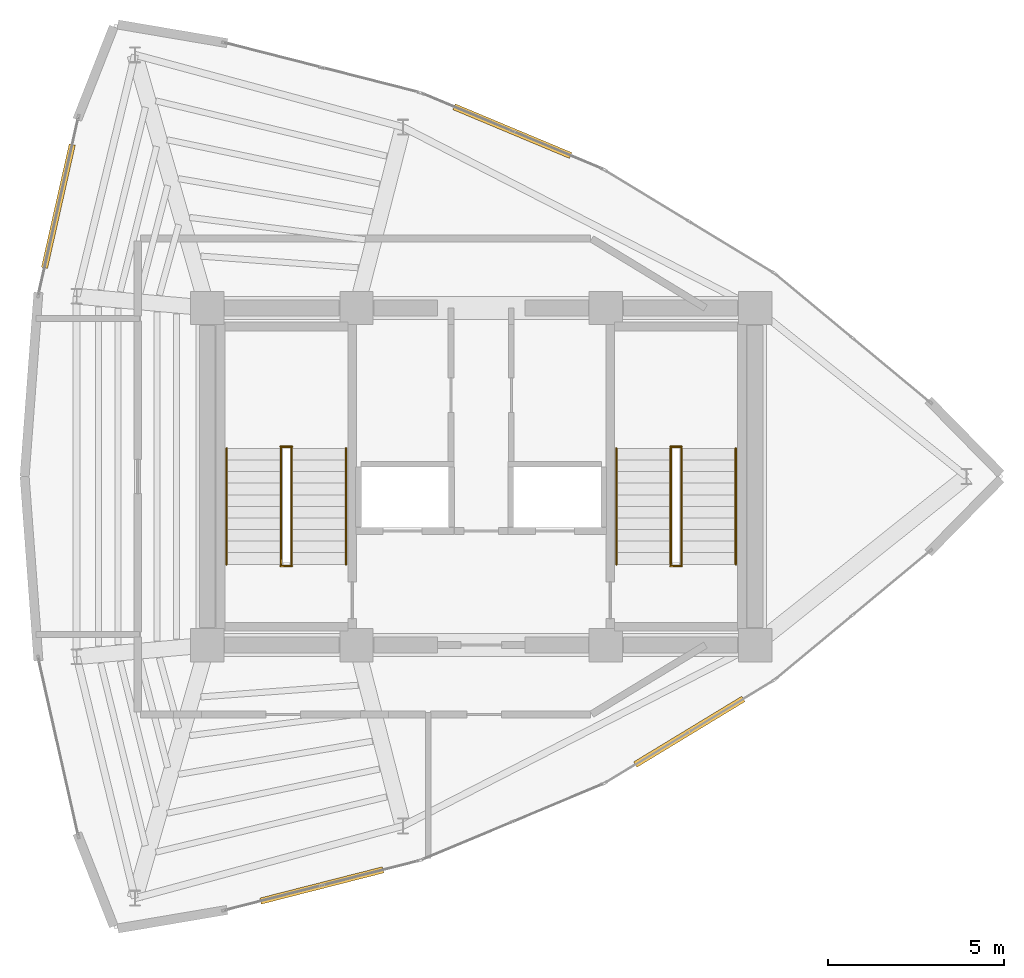
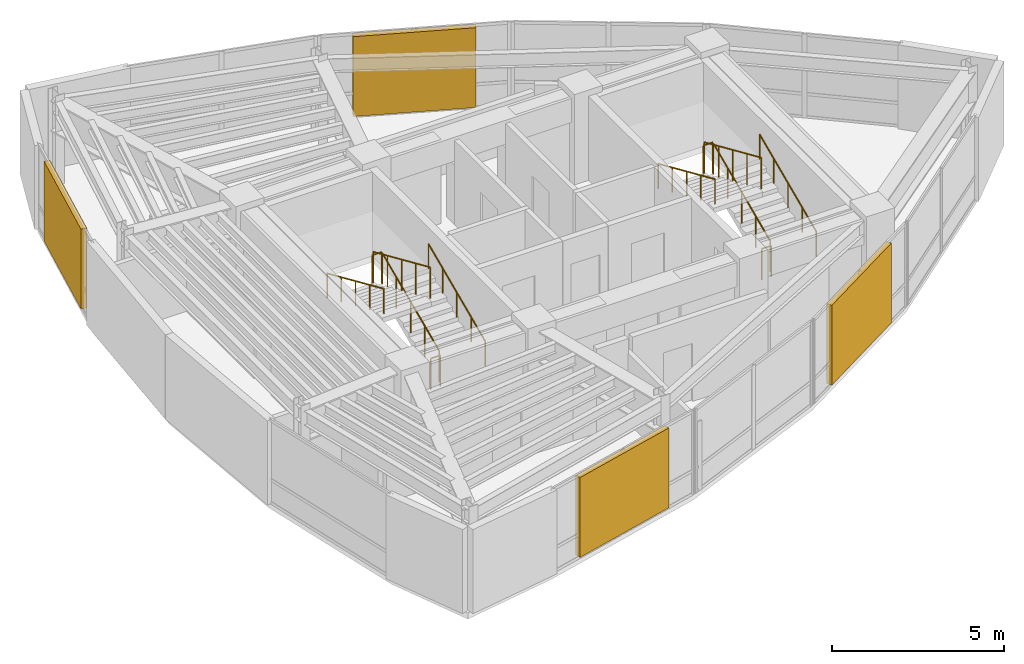
# One storey, part 14 of 14: 12 railings, 4 shading devices.
"""IFC4 building model written with IfcOpenShell, lengths in metres."""

from ifc_helpers import new_model, si_unit, direction, frame, origin, origin_2d, place, context, subcontext, project, spatial, rectangle, circle, extrude, material, layer, layer_set, type_object, element, save


model = new_model("IFC4")

# Units and contexts
model_context = context("Model", 3, precision=1e-05, world=origin(), true_north=direction((0.0, 1.0)))
body_context = subcontext(model_context, "Body", "Model", "MODEL_VIEW")
ifc_project = project(units=[si_unit("LENGTHUNIT", "METRE"), si_unit("AREAUNIT", "SQUARE_METRE"), si_unit("VOLUMEUNIT", "CUBIC_METRE"), si_unit("PLANEANGLEUNIT", "RADIAN"), si_unit("MASSUNIT", "GRAM", prefix="KILO")], contexts=[model_context])

# Site, building, storey
site_placement = place(None, origin())
site = spatial("IfcSite", under=ifc_project, at=site_placement, CompositionType="ELEMENT")
building_placement = place(site_placement, origin())
building = spatial("IfcBuilding", under=site, at=building_placement, Name="Menara Vayukalpa", CompositionType="ELEMENT")
storey_placement = place(building_placement, frame((0.0, 0.0, 308.820068359375)))
storey = spatial("IfcBuildingStorey", under=building, at=storey_placement, Name="L79", CompositionType="ELEMENT", Elevation=308.820068359375)

# Railings
ifc_material_1 = material(Name="Powder-Coated Galvanised Steel Guardrail", Category="steel")
railing_type_1 = type_object("IfcRailingType", Name="RLG-STG110", PredefinedType="GUARDRAIL", material=ifc_material_1)
railing_1_placement = place(storey_placement, frame((20.199951171875, 19.5, 0.1455078125)))
element("IfcRailing", 1, at=railing_1_placement, inside=storey, type_object=railing_type_1, Name="L79 ST-1 stair guard 1", PredefinedType="GUARDRAIL", context=body_context, shape_type="SweptSolid", body=[
    extrude(circle(Radius=0.02392578125, at=origin_2d()), frame((0.0, 0.0, 1.09619140625), z_axis=(0.0, 0.915077294035, 0.40327849675), x_axis=(-1.0, 0.0, 0.0)), (0.0, 0.0, 1.0), 3.606201171875),
    extrude(circle(Radius=0.02099609375, at=origin_2d()), origin(), (0.0, 0.0, 1.0), 1.072021484375),
    extrude(circle(Radius=0.02099609375, at=origin_2d()), frame((0.0, 0.824951171875, 0.363525390625)), (0.0, 0.0, 1.0), 1.072021484375),
    extrude(circle(Radius=0.02099609375, at=origin_2d()), frame((0.0, 1.64990234375, 0.72705078125)), (0.0, 0.0, 1.0), 1.072021484375),
    extrude(circle(Radius=0.02099609375, at=origin_2d()), frame((0.0, 2.47509765625, 1.0908203125)), (0.0, 0.0, 1.0), 1.072021484375),
    extrude(circle(Radius=0.02099609375, at=origin_2d()), frame((0.0, 3.300048828125, 1.454345703125)), (0.0, 0.0, 1.0), 1.072021484375),
])
railing_2_placement = place(storey_placement, frame((20.2099609375, 22.85009765625, 1.599853515625)))
element("IfcRailing", 2, at=railing_2_placement, inside=storey, type_object=railing_type_1, Name="L79 ST-1 stair guard 2", PredefinedType="GUARDRAIL", context=body_context, shape_type="SweptSolid", body=[
    extrude(circle(Radius=0.02392578125, at=origin_2d()), frame((0.0, 0.0, 1.09619140625), z_axis=(-1.0, 0.0, 0.0), x_axis=(0.0, -1.0, 0.0)), (0.0, 0.0, 1.0), 0.320068359375),
    extrude(circle(Radius=0.02099609375, at=origin_2d()), origin(), (0.0, 0.0, 1.0), 1.072021484375),
    extrude(circle(Radius=0.02099609375, at=origin_2d()), frame((-0.320068359375, 0.0, 0.0)), (0.0, 0.0, 1.0), 1.072021484375),
])
railing_3_placement = place(storey_placement, frame((19.89990234375, 22.800048828125, 1.745361328125)))
element("IfcRailing", 3, at=railing_3_placement, inside=storey, type_object=railing_type_1, Name="L79 ST-1 stair guard 3", PredefinedType="GUARDRAIL", context=body_context, shape_type="SweptSolid", body=[
    extrude(circle(Radius=0.02392578125, at=origin_2d()), frame((0.0, 0.0, 1.09619140625), z_axis=(0.0, -0.915052310208, 0.403335182675), x_axis=(1.0, 0.0, 0.0)), (0.0, 0.0, 1.0), 3.6064453125),
    extrude(circle(Radius=0.02099609375, at=origin_2d()), origin(), (0.0, 0.0, 1.0), 1.072021484375),
    extrude(circle(Radius=0.02099609375, at=origin_2d()), frame((0.0, -0.824951171875, 0.36376953125)), (0.0, 0.0, 1.0), 1.072021484375),
    extrude(circle(Radius=0.02099609375, at=origin_2d()), frame((0.0, -1.64990234375, 0.727294921875)), (0.0, 0.0, 1.0), 1.072021484375),
    extrude(circle(Radius=0.02099609375, at=origin_2d()), frame((0.0, -2.47509765625, 1.0908203125)), (0.0, 0.0, 1.0), 1.072021484375),
    extrude(circle(Radius=0.02099609375, at=origin_2d()), frame((0.0, -3.300048828125, 1.45458984375)), (0.0, 0.0, 1.0), 1.072021484375),
])
railing_4_placement = place(storey_placement, frame((20.2099609375, 19.449951171875, 0.0)))
element("IfcRailing", 4, at=railing_4_placement, inside=storey, type_object=railing_type_1, Name="L79 ST-1 stair guard 4", PredefinedType="GUARDRAIL", context=body_context, shape_type="SweptSolid", body=[
    extrude(circle(Radius=0.02392578125, at=origin_2d()), frame((0.0, 0.0, 1.09619140625), z_axis=(-1.0, 0.0, 0.0), x_axis=(0.0, -1.0, 0.0)), (0.0, 0.0, 1.0), 0.320068359375),
    extrude(circle(Radius=0.02099609375, at=origin_2d()), origin(), (0.0, 0.0, 1.0), 1.072021484375),
    extrude(circle(Radius=0.02099609375, at=origin_2d()), frame((-0.320068359375, 0.0, 0.0)), (0.0, 0.0, 1.0), 1.072021484375),
])
railing_5_placement = place(storey_placement, frame((31.300048828125, 19.5, 0.1455078125)))
element("IfcRailing", 5, at=railing_5_placement, inside=storey, type_object=railing_type_1, Name="L79 ST-2 stair guard 1", PredefinedType="GUARDRAIL", context=body_context, shape_type="SweptSolid", body=[
    extrude(circle(Radius=0.02392578125, at=origin_2d()), frame((0.0, 0.0, 1.09619140625), z_axis=(0.0, 0.915077294035, 0.40327849675), x_axis=(-1.0, 0.0, 0.0)), (0.0, 0.0, 1.0), 3.606201171875),
    extrude(circle(Radius=0.02099609375, at=origin_2d()), origin(), (0.0, 0.0, 1.0), 1.072021484375),
    extrude(circle(Radius=0.02099609375, at=origin_2d()), frame((0.0, 0.824951171875, 0.363525390625)), (0.0, 0.0, 1.0), 1.072021484375),
    extrude(circle(Radius=0.02099609375, at=origin_2d()), frame((0.0, 1.64990234375, 0.72705078125)), (0.0, 0.0, 1.0), 1.072021484375),
    extrude(circle(Radius=0.02099609375, at=origin_2d()), frame((0.0, 2.47509765625, 1.0908203125)), (0.0, 0.0, 1.0), 1.072021484375),
    extrude(circle(Radius=0.02099609375, at=origin_2d()), frame((0.0, 3.300048828125, 1.454345703125)), (0.0, 0.0, 1.0), 1.072021484375),
])
railing_6_placement = place(storey_placement, frame((31.31005859375, 22.85009765625, 1.599853515625)))
element("IfcRailing", 6, at=railing_6_placement, inside=storey, type_object=railing_type_1, Name="L79 ST-2 stair guard 2", PredefinedType="GUARDRAIL", context=body_context, shape_type="SweptSolid", body=[
    extrude(circle(Radius=0.02392578125, at=origin_2d()), frame((0.0, 0.0, 1.09619140625), z_axis=(-1.0, 0.0, 0.0), x_axis=(0.0, -1.0, 0.0)), (0.0, 0.0, 1.0), 0.320068359375),
    extrude(circle(Radius=0.02099609375, at=origin_2d()), origin(), (0.0, 0.0, 1.0), 1.072021484375),
    extrude(circle(Radius=0.02099609375, at=origin_2d()), frame((-0.320068359375, 0.0, 0.0)), (0.0, 0.0, 1.0), 1.072021484375),
])
railing_7_placement = place(storey_placement, frame((31.0, 22.800048828125, 1.745361328125)))
element("IfcRailing", 7, at=railing_7_placement, inside=storey, type_object=railing_type_1, Name="L79 ST-2 stair guard 3", PredefinedType="GUARDRAIL", context=body_context, shape_type="SweptSolid", body=[
    extrude(circle(Radius=0.02392578125, at=origin_2d()), frame((0.0, 0.0, 1.09619140625), z_axis=(0.0, -0.915052310208, 0.403335182675), x_axis=(1.0, 0.0, 0.0)), (0.0, 0.0, 1.0), 3.6064453125),
    extrude(circle(Radius=0.02099609375, at=origin_2d()), origin(), (0.0, 0.0, 1.0), 1.072021484375),
    extrude(circle(Radius=0.02099609375, at=origin_2d()), frame((0.0, -0.824951171875, 0.36376953125)), (0.0, 0.0, 1.0), 1.072021484375),
    extrude(circle(Radius=0.02099609375, at=origin_2d()), frame((0.0, -1.64990234375, 0.727294921875)), (0.0, 0.0, 1.0), 1.072021484375),
    extrude(circle(Radius=0.02099609375, at=origin_2d()), frame((0.0, -2.47509765625, 1.0908203125)), (0.0, 0.0, 1.0), 1.072021484375),
    extrude(circle(Radius=0.02099609375, at=origin_2d()), frame((0.0, -3.300048828125, 1.45458984375)), (0.0, 0.0, 1.0), 1.072021484375),
])
railing_8_placement = place(storey_placement, frame((31.31005859375, 19.449951171875, 0.0)))
element("IfcRailing", 8, at=railing_8_placement, inside=storey, type_object=railing_type_1, Name="L79 ST-2 stair guard 4", PredefinedType="GUARDRAIL", context=body_context, shape_type="SweptSolid", body=[
    extrude(circle(Radius=0.02392578125, at=origin_2d()), frame((0.0, 0.0, 1.09619140625), z_axis=(-1.0, 0.0, 0.0), x_axis=(0.0, -1.0, 0.0)), (0.0, 0.0, 1.0), 0.320068359375),
    extrude(circle(Radius=0.02099609375, at=origin_2d()), origin(), (0.0, 0.0, 1.0), 1.072021484375),
    extrude(circle(Radius=0.02099609375, at=origin_2d()), frame((-0.320068359375, 0.0, 0.0)), (0.0, 0.0, 1.0), 1.072021484375),
])
ifc_material_2 = material(Name="Stainless Steel 316 Tubular Handrail", Category="steel")
railing_type_2 = type_object("IfcRailingType", Name="RLG-STH090", PredefinedType="HANDRAIL", material=ifc_material_2)
railing_9_placement = place(storey_placement, frame((21.75, 19.5, 0.1455078125)))
element("IfcRailing", 9, at=railing_9_placement, inside=storey, type_object=railing_type_2, Name="L79 ST-1 stair handrail 1", PredefinedType="HANDRAIL", context=body_context, shape_type="SweptSolid", body=[
    extrude(circle(Radius=0.02392578125, at=origin_2d()), frame((0.0, 0.0, 0.8759765625), z_axis=(0.0, 0.915077294035, 0.40327849675), x_axis=(-1.0, 0.0, 0.0)), (0.0, 0.0, 1.0), 3.606201171875),
    extrude(circle(Radius=0.02099609375, at=origin_2d()), origin(), (0.0, 0.0, 1.0), 0.851806640625),
    extrude(circle(Radius=0.02099609375, at=origin_2d()), frame((0.0, 0.824951171875, 0.363525390625)), (0.0, 0.0, 1.0), 0.851806640625),
    extrude(circle(Radius=0.02099609375, at=origin_2d()), frame((0.0, 1.64990234375, 0.72705078125)), (0.0, 0.0, 1.0), 0.851806640625),
    extrude(circle(Radius=0.02099609375, at=origin_2d()), frame((0.0, 2.47509765625, 1.0908203125)), (0.0, 0.0, 1.0), 0.851806640625),
    extrude(circle(Radius=0.02099609375, at=origin_2d()), frame((0.0, 3.300048828125, 1.454345703125)), (0.0, 0.0, 1.0), 0.851806640625),
])
railing_10_placement = place(storey_placement, frame((18.35009765625, 22.800048828125, 1.745361328125)))
element("IfcRailing", 10, at=railing_10_placement, inside=storey, type_object=railing_type_2, Name="L79 ST-1 stair handrail 2", PredefinedType="HANDRAIL", context=body_context, shape_type="SweptSolid", body=[
    extrude(circle(Radius=0.02392578125, at=origin_2d()), frame((0.0, 0.0, 0.8759765625), z_axis=(0.0, -0.915052310208, 0.403335182675), x_axis=(1.0, 0.0, 0.0)), (0.0, 0.0, 1.0), 3.6064453125),
    extrude(circle(Radius=0.02099609375, at=origin_2d()), origin(), (0.0, 0.0, 1.0), 0.851806640625),
    extrude(circle(Radius=0.02099609375, at=origin_2d()), frame((0.0, -0.824951171875, 0.36376953125)), (0.0, 0.0, 1.0), 0.851806640625),
    extrude(circle(Radius=0.02099609375, at=origin_2d()), frame((0.0, -1.64990234375, 0.727294921875)), (0.0, 0.0, 1.0), 0.851806640625),
    extrude(circle(Radius=0.02099609375, at=origin_2d()), frame((0.0, -2.47509765625, 1.0908203125)), (0.0, 0.0, 1.0), 0.851806640625),
    extrude(circle(Radius=0.02099609375, at=origin_2d()), frame((0.0, -3.300048828125, 1.45458984375)), (0.0, 0.0, 1.0), 0.851806640625),
])
railing_11_placement = place(storey_placement, frame((32.85009765625, 19.5, 0.1455078125)))
element("IfcRailing", 11, at=railing_11_placement, inside=storey, type_object=railing_type_2, Name="L79 ST-2 stair handrail 1", PredefinedType="HANDRAIL", context=body_context, shape_type="SweptSolid", body=[
    extrude(circle(Radius=0.02392578125, at=origin_2d()), frame((0.0, 0.0, 0.8759765625), z_axis=(0.0, 0.915077294035, 0.40327849675), x_axis=(-1.0, 0.0, 0.0)), (0.0, 0.0, 1.0), 3.606201171875),
    extrude(circle(Radius=0.02099609375, at=origin_2d()), origin(), (0.0, 0.0, 1.0), 0.851806640625),
    extrude(circle(Radius=0.02099609375, at=origin_2d()), frame((0.0, 0.824951171875, 0.363525390625)), (0.0, 0.0, 1.0), 0.851806640625),
    extrude(circle(Radius=0.02099609375, at=origin_2d()), frame((0.0, 1.64990234375, 0.72705078125)), (0.0, 0.0, 1.0), 0.851806640625),
    extrude(circle(Radius=0.02099609375, at=origin_2d()), frame((0.0, 2.47509765625, 1.0908203125)), (0.0, 0.0, 1.0), 0.851806640625),
    extrude(circle(Radius=0.02099609375, at=origin_2d()), frame((0.0, 3.300048828125, 1.454345703125)), (0.0, 0.0, 1.0), 0.851806640625),
])
railing_12_placement = place(storey_placement, frame((29.449951171875, 22.800048828125, 1.745361328125)))
element("IfcRailing", 12, at=railing_12_placement, inside=storey, type_object=railing_type_2, Name="L79 ST-2 stair handrail 2", PredefinedType="HANDRAIL", context=body_context, shape_type="SweptSolid", body=[
    extrude(circle(Radius=0.02392578125, at=origin_2d()), frame((0.0, 0.0, 0.8759765625), z_axis=(0.0, -0.915052310208, 0.403335182675), x_axis=(1.0, 0.0, 0.0)), (0.0, 0.0, 1.0), 3.6064453125),
    extrude(circle(Radius=0.02099609375, at=origin_2d()), origin(), (0.0, 0.0, 1.0), 0.851806640625),
    extrude(circle(Radius=0.02099609375, at=origin_2d()), frame((0.0, -0.824951171875, 0.36376953125)), (0.0, 0.0, 1.0), 0.851806640625),
    extrude(circle(Radius=0.02099609375, at=origin_2d()), frame((0.0, -1.64990234375, 0.727294921875)), (0.0, 0.0, 1.0), 0.851806640625),
    extrude(circle(Radius=0.02099609375, at=origin_2d()), frame((0.0, -2.47509765625, 1.0908203125)), (0.0, 0.0, 1.0), 0.851806640625),
    extrude(circle(Radius=0.02099609375, at=origin_2d()), frame((0.0, -3.300048828125, 1.45458984375)), (0.0, 0.0, 1.0), 0.851806640625),
])

# Shading devices
ifc_material_3 = material(Name="Anodised Terracotta Aluminium Acoustic Louvre", Category="masonry")
ifc_layer = layer(ifc_material_3, 0.280029296875)
ifc_layer_set = layer_set([ifc_layer], Name="Anodised Terracotta Aluminium Acoustic Louvre")
shading_device_type = type_object("IfcShadingDeviceType", Name="SHD-LV1", PredefinedType="JALOUSIE", material=ifc_layer_set)
for number, where, z_axis, x_axis, name in (
    (13, (26.48583984375, 31.835205078125, 0.074951171875), (0.0, 0.0, 1.0), (-0.922538089456, 0.385906042324, 0.0), "L79 Crown Plant Louvre Screen 05"),
    (14, (13.558837890625, 29.69921875, 0.074951171875), (0.0, 0.0, 1.0), (-0.219522692765, -0.975607394068, 0.0), "L79 Crown Plant Louvre Screen 09"),
    (15, (21.0615234375, 10.354248046875, 0.074951171875), (0.0, 0.0, 1.0), (0.968985547553, 0.247117398484, 0.0), "L79 Crown Plant Louvre Screen 15"),
    (16, (31.525146484375, 14.73095703125, 0.074951171875), (0.0, 0.0, 1.0), (0.85466730962, 0.519176068272, 0.0), "L79 Crown Plant Louvre Screen 17"),
):
    element("IfcShadingDevice", number, at=place(storey_placement, frame(where, z_axis=z_axis, x_axis=x_axis)), inside=storey, type_object=shading_device_type, Name=name, PredefinedType="JALOUSIE", context=body_context, shape_type="SweptSolid", body=[
        extrude(rectangle(XDim=3.60009765625, YDim=0.179931640625, at=origin_2d()), origin(), (0.0, 0.0, 1.0), 2.830078125),
    ])

save(model, "model.ifc")
